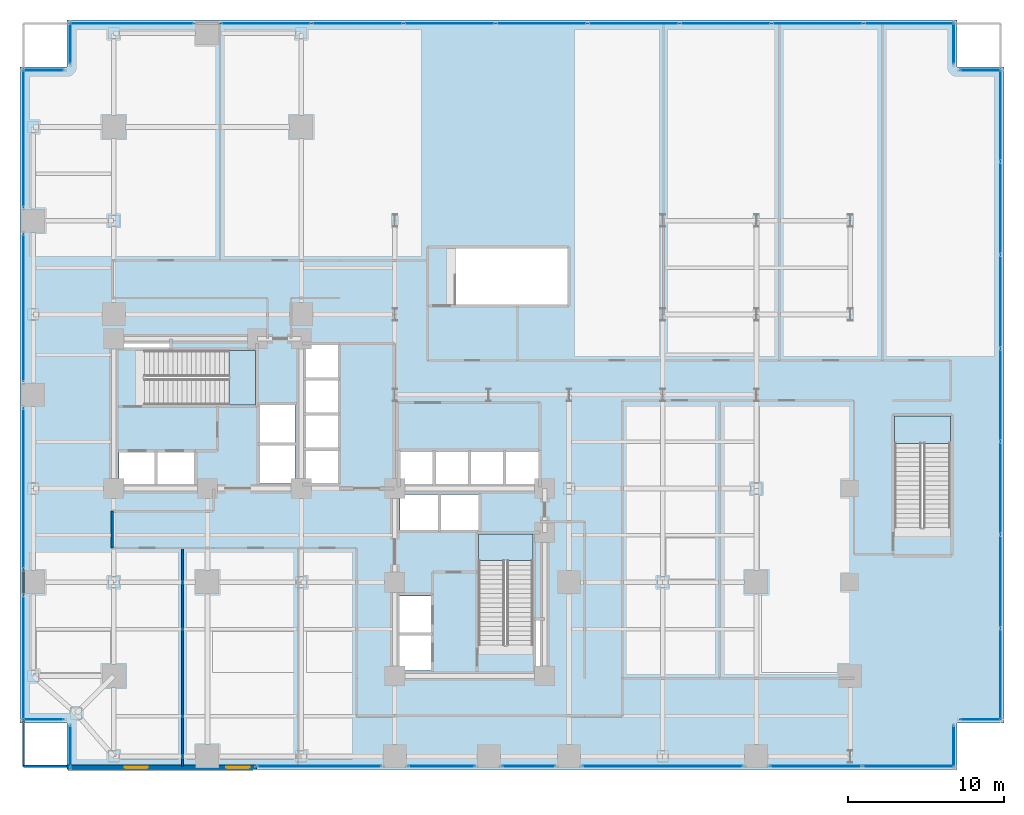
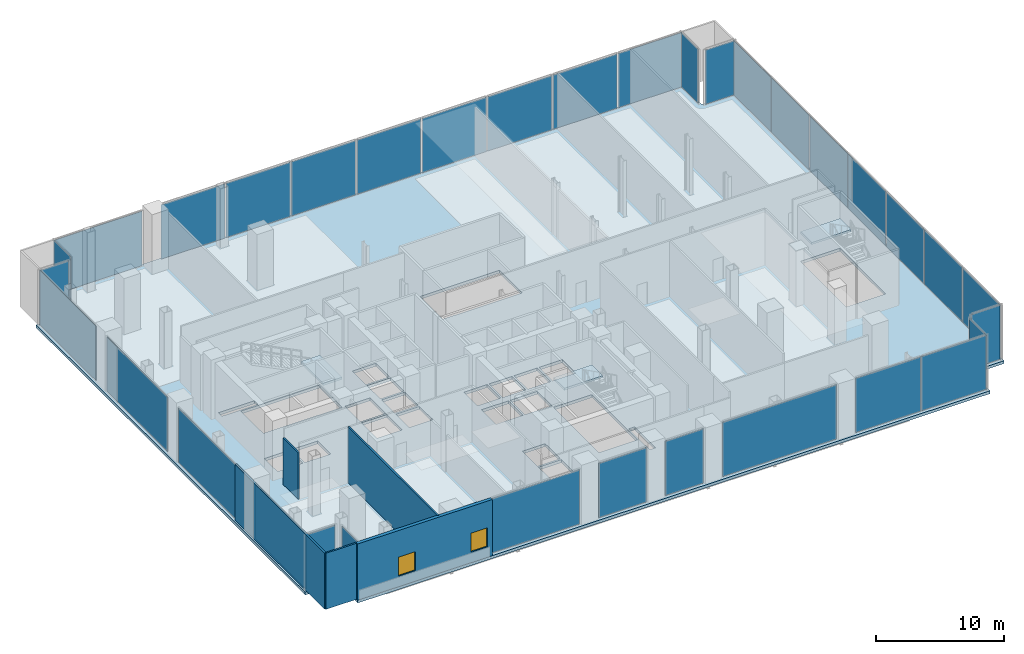
# One storey, part 20 of 27: 34 plates, 5 walls, 4 slabs, 2 windows, 2 openings, 23 elements without a shape of their own.
"""IFC4 building model written with IfcOpenShell, lengths in metres."""

from ifc_helpers import new_model, si_unit, direction, frame, frame_2d, origin, origin_2d, place, context, subcontext, project, spatial, polyline, rectangle, outline, extrude, material, layer, layer_set, type_object, element, fill, aggregate, save


model = new_model("IFC4")

# Units and contexts
model_context = context("Model", 3, precision=1e-05, world=origin(), true_north=direction((0.0, 1.0)))
body_context = subcontext(model_context, "Body", "Model", "MODEL_VIEW")
ifc_project = project(units=[si_unit("LENGTHUNIT", "METRE"), si_unit("AREAUNIT", "SQUARE_METRE"), si_unit("VOLUMEUNIT", "CUBIC_METRE"), si_unit("PLANEANGLEUNIT", "RADIAN"), si_unit("MASSUNIT", "GRAM", prefix="KILO"), si_unit("THERMODYNAMICTEMPERATUREUNIT", "KELVIN"), si_unit("POWERUNIT", "WATT")], contexts=[model_context])

# Site, building, storey
site_placement = place(None, origin())
site = spatial("IfcSite", under=ifc_project, at=site_placement, CompositionType="ELEMENT")
building_placement = place(site_placement, origin())
building = spatial("IfcBuilding", under=site, at=building_placement, Name="Svarakhadi Broadcast Tower", CompositionType="ELEMENT")
storey_placement = place(building_placement, frame((0.0, 0.0, 21.89990234375)))
storey = spatial("IfcBuildingStorey", under=building, at=storey_placement, Name="L04", CompositionType="ELEMENT", Elevation=21.89990234375)

# Curtain wall, plate
ifc_material_1 = material(Name="Anodised Bronze Aluminium AA 6063-T6", Category="aluminium")
ifc_layer_1 = layer(ifc_material_1, 0.25)
ifc_layer_set_1 = layer_set([ifc_layer_1], Name="Anodised Bronze Aluminium AA 6063-T6")
curtain_wall_type = type_object("IfcCurtainWallType", Name="CW_Sys_01", PredefinedType="NOTDEFINED", material=ifc_layer_set_1)
curtain_wall_1_placement = place(storey_placement, origin())
curtain_wall_1 = element("IfcCurtainWall", 1, at=curtain_wall_1_placement, inside=storey, type_object=curtain_wall_type, Name="L04 Unitised Facade Curtain Wall 01", PredefinedType="NOTDEFINED")
ifc_material_2 = material(Name="Double Low-E Laminated Acoustic Glass IGU 36 mm", Category="glass")
ifc_layer_2 = layer(ifc_material_2, 0.0380859375)
ifc_layer_set_2 = layer_set([ifc_layer_2], Name="Double Low-E Laminated Acoustic Glass IGU 36 mm")
plate_type = type_object("IfcPlateType", Name="CW_Sys_01_Pnl", PredefinedType="CURTAIN_PANEL", material=ifc_layer_set_2)
plate_1_placement = place(storey_placement, frame((1.5, 3.219970703125, 0.0849609375), z_axis=(0.0, 0.0, 1.0), x_axis=(-1.0, 0.0, 0.0)))
plate_1 = element("IfcPlate", 2, at=plate_1_placement, type_object=plate_type, Name="CW-01 panel 1.1", PredefinedType="CURTAIN_PANEL", context=body_context, shape_type="SweptSolid", body=[
    extrude(rectangle(XDim=2.6298828125, YDim=0.0380859375, at=origin_2d()), origin(), (0.0, 0.0, 1.0), 5.179931640625),
])
aggregate(curtain_wall_1, [plate_1])

curtain_wall_2_placement = place(storey_placement, origin())
curtain_wall_2 = element("IfcCurtainWall", 3, at=curtain_wall_2_placement, inside=storey, type_object=curtain_wall_type, Name="L04 Unitised Facade Curtain Wall 02 Bay 1", PredefinedType="NOTDEFINED")
plate_2_placement = place(storey_placement, frame((0.219970703125, 7.159912109375, 0.0849609375), z_axis=(0.0, 0.0, 1.0), x_axis=(0.0, 1.0, 0.0)))
plate_2 = element("IfcPlate", 4, at=plate_2_placement, type_object=plate_type, Name="CW-01 panel 1.1", PredefinedType="CURTAIN_PANEL", context=body_context, shape_type="SweptSolid", body=[
    extrude(rectangle(XDim=7.949951171875, YDim=0.0380859375, at=origin_2d()), origin(), (0.0, 0.0, 1.0), 5.179931640625),
])
aggregate(curtain_wall_2, [plate_2])

curtain_wall_3_placement = place(storey_placement, origin())
curtain_wall_3 = element("IfcCurtainWall", 5, at=curtain_wall_3_placement, inside=storey, type_object=curtain_wall_type, Name="L04 Unitised Facade Curtain Wall 02 Bay 2", PredefinedType="NOTDEFINED")
plate_3_placement = place(storey_placement, frame((0.219970703125, 18.0, 0.0849609375), z_axis=(0.0, 0.0, 1.0), x_axis=(0.0, 1.0, 0.0)))
plate_3 = element("IfcPlate", 6, at=plate_3_placement, type_object=plate_type, Name="CW-01 panel 1.1", PredefinedType="CURTAIN_PANEL", context=body_context, shape_type="SweptSolid", body=[
    extrude(rectangle(XDim=10.27001953125, YDim=0.0380859375, at=origin_2d()), origin(), (0.0, 0.0, 1.0), 5.179931640625),
])
aggregate(curtain_wall_3, [plate_3])

curtain_wall_4_placement = place(storey_placement, origin())
curtain_wall_4 = element("IfcCurtainWall", 7, at=curtain_wall_4_placement, inside=storey, type_object=curtain_wall_type, Name="L04 Unitised Facade Curtain Wall 02 Bay 3", PredefinedType="NOTDEFINED")
plate_4_placement = place(storey_placement, frame((0.219970703125, 29.574951171875, 0.0849609375), z_axis=(0.0, 0.0, 1.0), x_axis=(0.0, 1.0, 0.0)))
plate_4 = element("IfcPlate", 8, at=plate_4_placement, type_object=plate_type, Name="CW-01 panel 1.1", PredefinedType="CURTAIN_PANEL", context=body_context, shape_type="SweptSolid", body=[
    extrude(rectangle(XDim=9.419921875, YDim=0.0380859375, at=origin_2d()), origin(), (0.0, 0.0, 1.0), 5.179931640625),
])
aggregate(curtain_wall_4, [plate_4])

curtain_wall_5_placement = place(storey_placement, origin())
curtain_wall_5 = element("IfcCurtainWall", 9, at=curtain_wall_5_placement, inside=storey, type_object=curtain_wall_type, Name="L04 Unitised Facade Curtain Wall 02 Bay 4", PredefinedType="NOTDEFINED")
plate_5_placement = place(storey_placement, frame((0.219970703125, 40.4150390625, 0.0849609375), z_axis=(0.0, 0.0, 1.0), x_axis=(0.0, 1.0, 0.0)))
plate_5 = element("IfcPlate", 10, at=plate_5_placement, type_object=plate_type, Name="CW-01 panel 1.1", PredefinedType="CURTAIN_PANEL", context=body_context, shape_type="SweptSolid", body=[
    extrude(rectangle(XDim=8.800048828125, YDim=0.0380859375, at=origin_2d()), origin(), (0.0, 0.0, 1.0), 5.179931640625),
])
aggregate(curtain_wall_5, [plate_5])

curtain_wall_6_placement = place(storey_placement, origin())
curtain_wall_6 = element("IfcCurtainWall", 11, at=curtain_wall_6_placement, inside=storey, type_object=curtain_wall_type, Name="L04 Unitised Facade Curtain Wall 03", PredefinedType="NOTDEFINED")
plate_6_placement = place(storey_placement, frame((1.5, 44.780029296875, 0.0849609375), z_axis=(0.0, 0.0, 1.0), x_axis=(1.0, 0.0, 0.0)))
plate_6 = element("IfcPlate", 12, at=plate_6_placement, type_object=plate_type, Name="CW-01 panel 1.1", PredefinedType="CURTAIN_PANEL", context=body_context, shape_type="SweptSolid", body=[
    extrude(rectangle(XDim=2.6298828125, YDim=0.0380859375, at=origin_2d()), origin(), (0.0, 0.0, 1.0), 5.179931640625),
])
aggregate(curtain_wall_6, [plate_6])

curtain_wall_7_placement = place(storey_placement, origin())
curtain_wall_7 = element("IfcCurtainWall", 13, at=curtain_wall_7_placement, inside=storey, type_object=curtain_wall_type, Name="L04 Unitised Facade Curtain Wall 04", PredefinedType="NOTDEFINED")
plate_7_placement = place(storey_placement, frame((3.219970703125, 46.5, 0.0849609375), z_axis=(0.0, 0.0, 1.0), x_axis=(0.0, 1.0, 0.0)))
plate_7 = element("IfcPlate", 14, at=plate_7_placement, type_object=plate_type, Name="CW-01 panel 1.1", PredefinedType="CURTAIN_PANEL", context=body_context, shape_type="SweptSolid", body=[
    extrude(rectangle(XDim=2.6298828125, YDim=0.0380859375, at=origin_2d()), origin(), (0.0, 0.0, 1.0), 5.179931640625),
])
aggregate(curtain_wall_7, [plate_7])

curtain_wall_8_placement = place(storey_placement, origin())
curtain_wall_8 = element("IfcCurtainWall", 15, at=curtain_wall_8_placement, inside=storey, type_object=curtain_wall_type, Name="L04 Unitised Facade Curtain Wall 05 Bay 1", PredefinedType="NOTDEFINED")
plate_8_placement = place(storey_placement, frame((7.159912109375, 47.780029296875, 0.0849609375), z_axis=(0.0, 0.0, 1.0), x_axis=(1.0, 0.0, 0.0)))
plate_8 = element("IfcPlate", 16, at=plate_8_placement, type_object=plate_type, Name="CW-01 panel 1.1", PredefinedType="CURTAIN_PANEL", context=body_context, shape_type="SweptSolid", body=[
    extrude(rectangle(XDim=7.949951171875, YDim=0.0380859375, at=origin_2d()), origin(), (0.0, 0.0, 1.0), 5.179931640625),
])
aggregate(curtain_wall_8, [plate_8])

# Curtain wall, plates
curtain_wall_9_placement = place(storey_placement, origin())
curtain_wall_9 = element("IfcCurtainWall", 17, at=curtain_wall_9_placement, inside=storey, type_object=curtain_wall_type, Name="L04 Unitised Facade Curtain Wall 05 Bay 2", PredefinedType="NOTDEFINED")
plate_9_placement = place(storey_placement, frame((15.739990234375, 47.780029296875, 0.0849609375), z_axis=(0.0, 0.0, 1.0), x_axis=(1.0, 0.0, 0.0)))
plate_9 = element("IfcPlate", 18, at=plate_9_placement, type_object=plate_type, Name="CW-01 panel 1.1", PredefinedType="CURTAIN_PANEL", context=body_context, shape_type="SweptSolid", body=[
    extrude(rectangle(XDim=5.75, YDim=0.0380859375, at=origin_2d()), origin(), (0.0, 0.0, 1.0), 5.179931640625),
])
plate_10_placement = place(storey_placement, frame((21.608642578125, 47.780029296875, 0.0849609375), z_axis=(0.0, 0.0, 1.0), x_axis=(1.0, 0.0, 0.0)))
plate_10 = element("IfcPlate", 19, at=plate_10_placement, type_object=plate_type, Name="CW-01 panel 2.1", PredefinedType="CURTAIN_PANEL", context=body_context, shape_type="SweptSolid", body=[
    extrude(rectangle(XDim=5.797607421875, YDim=0.0380859375, at=origin_2d()), origin(), (0.0, 0.0, 1.0), 5.179931640625),
])
plate_11_placement = place(storey_placement, frame((27.501220703125, 47.780029296875, 0.0849609375), z_axis=(0.0, 0.0, 1.0), x_axis=(1.0, 0.0, 0.0)))
plate_11 = element("IfcPlate", 20, at=plate_11_placement, type_object=plate_type, Name="CW-01 panel 3.1", PredefinedType="CURTAIN_PANEL", context=body_context, shape_type="SweptSolid", body=[
    extrude(rectangle(XDim=5.797607421875, YDim=0.0380859375, at=origin_2d()), origin(), (0.0, 0.0, 1.0), 5.179931640625),
])
plate_12_placement = place(storey_placement, frame((33.393798828125, 47.780029296875, 0.0849609375), z_axis=(0.0, 0.0, 1.0), x_axis=(1.0, 0.0, 0.0)))
plate_12 = element("IfcPlate", 21, at=plate_12_placement, type_object=plate_type, Name="CW-01 panel 4.1", PredefinedType="CURTAIN_PANEL", context=body_context, shape_type="SweptSolid", body=[
    extrude(rectangle(XDim=5.797607421875, YDim=0.0380859375, at=origin_2d()), origin(), (0.0, 0.0, 1.0), 5.179931640625),
])
plate_13_placement = place(storey_placement, frame((39.2861328125, 47.780029296875, 0.0849609375), z_axis=(0.0, 0.0, 1.0), x_axis=(1.0, 0.0, 0.0)))
plate_13 = element("IfcPlate", 22, at=plate_13_placement, type_object=plate_type, Name="CW-01 panel 5.1", PredefinedType="CURTAIN_PANEL", context=body_context, shape_type="SweptSolid", body=[
    extrude(rectangle(XDim=5.797607421875, YDim=0.0380859375, at=origin_2d()), origin(), (0.0, 0.0, 1.0), 5.179931640625),
])
plate_14_placement = place(storey_placement, frame((45.1787109375, 47.780029296875, 0.0849609375), z_axis=(0.0, 0.0, 1.0), x_axis=(1.0, 0.0, 0.0)))
plate_14 = element("IfcPlate", 23, at=plate_14_placement, type_object=plate_type, Name="CW-01 panel 6.1", PredefinedType="CURTAIN_PANEL", context=body_context, shape_type="SweptSolid", body=[
    extrude(rectangle(XDim=5.797607421875, YDim=0.0380859375, at=origin_2d()), origin(), (0.0, 0.0, 1.0), 5.179931640625),
])
plate_15_placement = place(storey_placement, frame((51.0712890625, 47.780029296875, 0.0849609375), z_axis=(0.0, 0.0, 1.0), x_axis=(1.0, 0.0, 0.0)))
plate_15 = element("IfcPlate", 24, at=plate_15_placement, type_object=plate_type, Name="CW-01 panel 7.1", PredefinedType="CURTAIN_PANEL", context=body_context, shape_type="SweptSolid", body=[
    extrude(rectangle(XDim=5.797607421875, YDim=0.0380859375, at=origin_2d()), origin(), (0.0, 0.0, 1.0), 5.179931640625),
])
plate_16_placement = place(storey_placement, frame((56.93994140625, 47.780029296875, 0.0849609375), z_axis=(0.0, 0.0, 1.0), x_axis=(1.0, 0.0, 0.0)))
plate_16 = element("IfcPlate", 25, at=plate_16_placement, type_object=plate_type, Name="CW-01 panel 8.1", PredefinedType="CURTAIN_PANEL", context=body_context, shape_type="SweptSolid", body=[
    extrude(rectangle(XDim=5.75, YDim=0.0380859375, at=origin_2d()), origin(), (0.0, 0.0, 1.0), 5.179931640625),
])
aggregate(curtain_wall_9, [plate_9, plate_10, plate_11, plate_12, plate_13, plate_14, plate_15, plate_16])

# Curtain wall, plate
curtain_wall_10_placement = place(storey_placement, origin())
curtain_wall_10 = element("IfcCurtainWall", 26, at=curtain_wall_10_placement, inside=storey, type_object=curtain_wall_type, Name="L04 Unitised Facade Curtain Wall 06", PredefinedType="NOTDEFINED")
plate_17_placement = place(storey_placement, frame((59.780029296875, 46.5, 0.0849609375), z_axis=(0.0, 0.0, 1.0), x_axis=(0.0, -1.0, 0.0)))
plate_17 = element("IfcPlate", 27, at=plate_17_placement, type_object=plate_type, Name="CW-01 panel 1.1", PredefinedType="CURTAIN_PANEL", context=body_context, shape_type="SweptSolid", body=[
    extrude(rectangle(XDim=2.6298828125, YDim=0.0380859375, at=origin_2d()), origin(), (0.0, 0.0, 1.0), 5.179931640625),
])
aggregate(curtain_wall_10, [plate_17])

curtain_wall_11_placement = place(storey_placement, origin())
curtain_wall_11 = element("IfcCurtainWall", 28, at=curtain_wall_11_placement, inside=storey, type_object=curtain_wall_type, Name="L04 Unitised Facade Curtain Wall 07", PredefinedType="NOTDEFINED")
plate_18_placement = place(storey_placement, frame((61.5, 44.780029296875, 0.0849609375), z_axis=(0.0, 0.0, 1.0), x_axis=(1.0, 0.0, 0.0)))
plate_18 = element("IfcPlate", 29, at=plate_18_placement, type_object=plate_type, Name="CW-01 panel 1.1", PredefinedType="CURTAIN_PANEL", context=body_context, shape_type="SweptSolid", body=[
    extrude(rectangle(XDim=2.6298828125, YDim=0.0380859375, at=origin_2d()), origin(), (0.0, 0.0, 1.0), 5.179931640625),
])
aggregate(curtain_wall_11, [plate_18])

# Curtain wall, plates
curtain_wall_12_placement = place(storey_placement, origin())
curtain_wall_12 = element("IfcCurtainWall", 30, at=curtain_wall_12_placement, inside=storey, type_object=curtain_wall_type, Name="L04 Unitised Facade Curtain Wall 08", PredefinedType="NOTDEFINED")
plate_19_placement = place(storey_placement, frame((62.780029296875, 41.899169921875, 0.0849609375), z_axis=(0.0, 0.0, 1.0), x_axis=(0.0, -1.0, 0.0)))
plate_19 = element("IfcPlate", 31, at=plate_19_placement, type_object=plate_type, Name="CW-01 panel 1.1", PredefinedType="CURTAIN_PANEL", context=body_context, shape_type="SweptSolid", body=[
    extrude(rectangle(XDim=5.831787109375, YDim=0.0380859375, at=origin_2d()), origin(), (0.0, 0.0, 1.0), 5.179931640625),
])
plate_20_placement = place(storey_placement, frame((62.780029296875, 35.948486328125, 0.0849609375), z_axis=(0.0, 0.0, 1.0), x_axis=(0.0, -1.0, 0.0)))
plate_20 = element("IfcPlate", 32, at=plate_20_placement, type_object=plate_type, Name="CW-01 panel 2.1", PredefinedType="CURTAIN_PANEL", context=body_context, shape_type="SweptSolid", body=[
    extrude(rectangle(XDim=5.87939453125, YDim=0.0380859375, at=origin_2d()), origin(), (0.0, 0.0, 1.0), 5.179931640625),
])
plate_21_placement = place(storey_placement, frame((62.780029296875, 29.974365234375, 0.0849609375), z_axis=(0.0, 0.0, 1.0), x_axis=(0.0, -1.0, 0.0)))
plate_21 = element("IfcPlate", 33, at=plate_21_placement, type_object=plate_type, Name="CW-01 panel 3.1", PredefinedType="CURTAIN_PANEL", context=body_context, shape_type="SweptSolid", body=[
    extrude(rectangle(XDim=5.87939453125, YDim=0.0380859375, at=origin_2d()), origin(), (0.0, 0.0, 1.0), 5.179931640625),
])
plate_22_placement = place(storey_placement, frame((62.780029296875, 24.0, 0.0849609375), z_axis=(0.0, 0.0, 1.0), x_axis=(0.0, -1.0, 0.0)))
plate_22 = element("IfcPlate", 34, at=plate_22_placement, type_object=plate_type, Name="CW-01 panel 4.1", PredefinedType="CURTAIN_PANEL", context=body_context, shape_type="SweptSolid", body=[
    extrude(rectangle(XDim=5.87939453125, YDim=0.0380859375, at=origin_2d()), origin(), (0.0, 0.0, 1.0), 5.179931640625),
])
plate_23_placement = place(storey_placement, frame((62.780029296875, 18.025634765625, 0.0849609375), z_axis=(0.0, 0.0, 1.0), x_axis=(0.0, -1.0, 0.0)))
plate_23 = element("IfcPlate", 35, at=plate_23_placement, type_object=plate_type, Name="CW-01 panel 5.1", PredefinedType="CURTAIN_PANEL", context=body_context, shape_type="SweptSolid", body=[
    extrude(rectangle(XDim=5.87939453125, YDim=0.0380859375, at=origin_2d()), origin(), (0.0, 0.0, 1.0), 5.179931640625),
])
plate_24_placement = place(storey_placement, frame((62.780029296875, 12.051513671875, 0.0849609375), z_axis=(0.0, 0.0, 1.0), x_axis=(0.0, -1.0, 0.0)))
plate_24 = element("IfcPlate", 36, at=plate_24_placement, type_object=plate_type, Name="CW-01 panel 6.1", PredefinedType="CURTAIN_PANEL", context=body_context, shape_type="SweptSolid", body=[
    extrude(rectangle(XDim=5.87939453125, YDim=0.0380859375, at=origin_2d()), origin(), (0.0, 0.0, 1.0), 5.179931640625),
])
plate_25_placement = place(storey_placement, frame((62.780029296875, 6.100830078125, 0.0849609375), z_axis=(0.0, 0.0, 1.0), x_axis=(0.0, -1.0, 0.0)))
plate_25 = element("IfcPlate", 37, at=plate_25_placement, type_object=plate_type, Name="CW-01 panel 7.1", PredefinedType="CURTAIN_PANEL", context=body_context, shape_type="SweptSolid", body=[
    extrude(rectangle(XDim=5.831787109375, YDim=0.0380859375, at=origin_2d()), origin(), (0.0, 0.0, 1.0), 5.179931640625),
])
aggregate(curtain_wall_12, [plate_19, plate_20, plate_21, plate_22, plate_23, plate_24, plate_25])

# Curtain wall, plate
curtain_wall_13_placement = place(storey_placement, origin())
curtain_wall_13 = element("IfcCurtainWall", 38, at=curtain_wall_13_placement, inside=storey, type_object=curtain_wall_type, Name="L04 Unitised Facade Curtain Wall 09", PredefinedType="NOTDEFINED")
plate_26_placement = place(storey_placement, frame((61.5, 3.219970703125, 0.0849609375), z_axis=(0.0, 0.0, 1.0), x_axis=(-1.0, 0.0, 0.0)))
plate_26 = element("IfcPlate", 39, at=plate_26_placement, type_object=plate_type, Name="CW-01 panel 1.1", PredefinedType="CURTAIN_PANEL", context=body_context, shape_type="SweptSolid", body=[
    extrude(rectangle(XDim=2.6298828125, YDim=0.0380859375, at=origin_2d()), origin(), (0.0, 0.0, 1.0), 5.179931640625),
])
aggregate(curtain_wall_13, [plate_26])

curtain_wall_14_placement = place(storey_placement, origin())
curtain_wall_14 = element("IfcCurtainWall", 40, at=curtain_wall_14_placement, inside=storey, type_object=curtain_wall_type, Name="L04 Unitised Facade Curtain Wall 10", PredefinedType="NOTDEFINED")
plate_27_placement = place(storey_placement, frame((59.780029296875, 1.5, 0.0849609375), z_axis=(0.0, 0.0, 1.0), x_axis=(0.0, -1.0, 0.0)))
plate_27 = element("IfcPlate", 41, at=plate_27_placement, type_object=plate_type, Name="CW-01 panel 1.1", PredefinedType="CURTAIN_PANEL", context=body_context, shape_type="SweptSolid", body=[
    extrude(rectangle(XDim=2.6298828125, YDim=0.0380859375, at=origin_2d()), origin(), (0.0, 0.0, 1.0), 5.179931640625),
])
aggregate(curtain_wall_14, [plate_27])

# Curtain wall, plates
curtain_wall_15_placement = place(storey_placement, origin())
curtain_wall_15 = element("IfcCurtainWall", 42, at=curtain_wall_15_placement, inside=storey, type_object=curtain_wall_type, Name="L04 South Curtain Wall 11 Bay 1", PredefinedType="NOTDEFINED")
plate_28_placement = place(storey_placement, frame((56.888671875, 0.219970703125, 0.0849609375), z_axis=(0.0, 0.0, 1.0), x_axis=(-1.0, 0.0, 0.0)))
plate_28 = element("IfcPlate", 43, at=plate_28_placement, type_object=plate_type, Name="CW-01 panel 1.1", PredefinedType="CURTAIN_PANEL", context=body_context, shape_type="SweptSolid", body=[
    extrude(rectangle(XDim=5.8525390625, YDim=0.0380859375, at=origin_2d()), origin(), (0.0, 0.0, 1.0), 5.179931640625),
])
plate_29_placement = place(storey_placement, frame((50.941162109375, 0.219970703125, 0.0849609375), z_axis=(0.0, 0.0, 1.0), x_axis=(-1.0, 0.0, 0.0)))
plate_29 = element("IfcPlate", 44, at=plate_29_placement, type_object=plate_type, Name="CW-01 panel 2.1", PredefinedType="CURTAIN_PANEL", context=body_context, shape_type="SweptSolid", body=[
    extrude(rectangle(XDim=5.8525390625, YDim=0.0380859375, at=origin_2d()), origin(), (0.0, 0.0, 1.0), 5.179931640625),
])
aggregate(curtain_wall_15, [plate_28, plate_29])

# Curtain wall, plate
curtain_wall_16_placement = place(storey_placement, origin())
curtain_wall_16 = element("IfcCurtainWall", 45, at=curtain_wall_16_placement, inside=storey, type_object=curtain_wall_type, Name="L04 South Curtain Wall 11 Bay 2", PredefinedType="NOTDEFINED")
plate_30_placement = place(storey_placement, frame((41.14990234375, 0.219970703125, 0.0849609375), z_axis=(0.0, 0.0, 1.0), x_axis=(-1.0, 0.0, 0.0)))
plate_30 = element("IfcPlate", 46, at=plate_30_placement, type_object=plate_type, Name="CW-01 panel 1.1", PredefinedType="CURTAIN_PANEL", context=body_context, shape_type="SweptSolid", body=[
    extrude(rectangle(XDim=10.27001953125, YDim=0.0380859375, at=origin_2d()), origin(), (0.0, 0.0, 1.0), 5.179931640625),
])
aggregate(curtain_wall_16, [plate_30])

curtain_wall_17_placement = place(storey_placement, origin())
curtain_wall_17 = element("IfcCurtainWall", 47, at=curtain_wall_17_placement, inside=storey, type_object=curtain_wall_type, Name="L04 South Curtain Wall 11 Bay 3", PredefinedType="NOTDEFINED")
plate_31_placement = place(storey_placement, frame((32.574951171875, 0.219970703125, 0.0849609375), z_axis=(0.0, 0.0, 1.0), x_axis=(-1.0, 0.0, 0.0)))
plate_31 = element("IfcPlate", 48, at=plate_31_placement, type_object=plate_type, Name="CW-01 panel 1.1", PredefinedType="CURTAIN_PANEL", context=body_context, shape_type="SweptSolid", body=[
    extrude(rectangle(XDim=3.419921875, YDim=0.0380859375, at=origin_2d()), origin(), (0.0, 0.0, 1.0), 5.179931640625),
])
aggregate(curtain_wall_17, [plate_31])

curtain_wall_18_placement = place(storey_placement, origin())
curtain_wall_18 = element("IfcCurtainWall", 49, at=curtain_wall_18_placement, inside=storey, type_object=curtain_wall_type, Name="L04 South Curtain Wall 11 Bay 4", PredefinedType="NOTDEFINED")
plate_32_placement = place(storey_placement, frame((27.0, 0.219970703125, 0.0849609375), z_axis=(0.0, 0.0, 1.0), x_axis=(-1.0, 0.0, 0.0)))
plate_32 = element("IfcPlate", 50, at=plate_32_placement, type_object=plate_type, Name="CW-01 panel 1.1", PredefinedType="CURTAIN_PANEL", context=body_context, shape_type="SweptSolid", body=[
    extrude(rectangle(XDim=4.27001953125, YDim=0.0380859375, at=origin_2d()), origin(), (0.0, 0.0, 1.0), 5.179931640625),
])
aggregate(curtain_wall_18, [plate_32])

curtain_wall_19_placement = place(storey_placement, origin())
curtain_wall_19 = element("IfcCurtainWall", 51, at=curtain_wall_19_placement, inside=storey, type_object=curtain_wall_type, Name="L04 South Curtain Wall 11 Bay 5", PredefinedType="NOTDEFINED")
plate_33_placement = place(storey_placement, frame((19.159912109375, 0.219970703125, 0.0849609375), z_axis=(0.0, 0.0, 1.0), x_axis=(-1.0, 0.0, 0.0)))
plate_33 = element("IfcPlate", 52, at=plate_33_placement, type_object=plate_type, Name="CW-01 panel 1.1", PredefinedType="CURTAIN_PANEL", context=body_context, shape_type="SweptSolid", body=[
    extrude(rectangle(XDim=7.949951171875, YDim=0.0380859375, at=origin_2d()), origin(), (0.0, 0.0, 1.0), 5.179931640625),
])
aggregate(curtain_wall_19, [plate_33])

curtain_wall_20_placement = place(storey_placement, origin())
curtain_wall_20 = element("IfcCurtainWall", 53, at=curtain_wall_20_placement, inside=storey, type_object=curtain_wall_type, Name="L04 Unitised Facade Curtain Wall 12", PredefinedType="NOTDEFINED")
plate_34_placement = place(storey_placement, frame((3.219970703125, 1.5, 0.0849609375), z_axis=(0.0, 0.0, 1.0), x_axis=(0.0, 1.0, 0.0)))
plate_34 = element("IfcPlate", 54, at=plate_34_placement, type_object=plate_type, Name="CW-01 panel 1.1", PredefinedType="CURTAIN_PANEL", context=body_context, shape_type="SweptSolid", body=[
    extrude(rectangle(XDim=2.6298828125, YDim=0.0380859375, at=origin_2d()), origin(), (0.0, 0.0, 1.0), 5.179931640625),
])
aggregate(curtain_wall_20, [plate_34])

# Slab
ifc_material_3 = material(Name="Concrete C40/50 (IS 456 M50)", Category="concrete")
ifc_layer_3 = layer(ifc_material_3, 0.27490234375)
ifc_layer_set_3 = layer_set([ifc_layer_3], Name="Concrete C40/50 (IS 456 M50)")
slab_type_1 = type_object("IfcSlabType", Name="Slab_Floor_275", PredefinedType="FLOOR", material=ifc_layer_set_3)
slab_1_placement = place(storey_placement, frame((0.0, 0.0, -0.27490234375)))
element("IfcSlab", 55, at=slab_1_placement, inside=storey, type_object=slab_type_1, Name="L04 Structural Floor Slab", PredefinedType="FLOOR", context=body_context, shape_type="SweptSolid", body=[
    extrude(outline(polyline([(3.0, 0.0), (60.0, 0.0), (60.0, 3.0), (63.0, 3.0), (63.0, 45.0), (60.0, 45.0), (60.0, 48.0), (3.0, 48.0), (3.0, 45.0), (0.0, 45.0), (0.0, 3.0), (3.0, 3.0), (3.0, 0.0)]), holes=[polyline([(7.97998046875, 23.360107421875), (15.080078125, 23.360107421875), (15.080078125, 26.840087890625), (7.97998046875, 26.840087890625), (7.97998046875, 23.360107421875)]), polyline([(32.840087890625, 7.97998046875), (32.840087890625, 15.080078125), (29.360107421875, 15.080078125), (29.360107421875, 7.97998046875), (32.840087890625, 7.97998046875)]), polyline([(27.89990234375, 29.800048828125), (35.050048828125, 29.800048828125), (35.050048828125, 33.360107421875), (27.89990234375, 33.360107421875), (27.89990234375, 29.800048828125)]), polyline([(59.56005859375, 15.5), (59.56005859375, 22.64990234375), (56.0, 22.64990234375), (56.0, 15.5), (59.56005859375, 15.5)]), polyline([(6.340087890625, 18.2900390625), (8.610107421875, 18.2900390625), (8.610107421875, 20.330078125), (6.340087890625, 20.330078125), (6.340087890625, 18.2900390625)]), polyline([(8.7900390625, 18.2900390625), (11.1298828125, 18.2900390625), (11.1298828125, 20.330078125), (8.7900390625, 20.330078125), (8.7900390625, 18.2900390625)]), polyline([(24.2900390625, 6.340087890625), (26.330078125, 6.340087890625), (26.330078125, 8.610107421875), (24.2900390625, 8.610107421875), (24.2900390625, 6.340087890625)]), polyline([(24.2900390625, 8.7900390625), (26.330078125, 8.7900390625), (26.330078125, 11.1298828125), (24.2900390625, 11.1298828125), (24.2900390625, 8.7900390625)]), polyline([(6.340087890625, 26.989990234375), (9.610107421875, 26.989990234375), (9.610107421875, 27.530029296875), (6.340087890625, 27.530029296875), (6.340087890625, 26.989990234375)]), polyline([(32.989990234375, 6.340087890625), (33.530029296875, 6.340087890625), (33.530029296875, 9.610107421875), (32.989990234375, 9.610107421875), (32.989990234375, 6.340087890625)]), polyline([(15.340087890625, 18.340087890625), (17.610107421875, 18.340087890625), (17.610107421875, 20.760009765625), (15.340087890625, 20.760009765625), (15.340087890625, 18.340087890625)]), polyline([(15.340087890625, 20.93994140625), (17.610107421875, 20.93994140625), (17.610107421875, 23.360107421875), (15.340087890625, 23.360107421875), (15.340087890625, 20.93994140625)]), polyline([(24.340087890625, 15.340087890625), (26.760009765625, 15.340087890625), (26.760009765625, 17.610107421875), (24.340087890625, 17.610107421875), (24.340087890625, 15.340087890625)]), polyline([(26.93994140625, 15.340087890625), (29.360107421875, 15.340087890625), (29.360107421875, 17.610107421875), (26.93994140625, 17.610107421875), (26.93994140625, 15.340087890625)]), polyline([(18.239990234375, 18.340087890625), (20.360107421875, 18.340087890625), (20.360107421875, 20.429931640625), (18.239990234375, 20.429931640625), (18.239990234375, 18.340087890625)]), polyline([(18.239990234375, 20.610107421875), (20.360107421875, 20.610107421875), (20.360107421875, 22.679931640625), (18.239990234375, 22.679931640625), (18.239990234375, 20.610107421875)]), polyline([(18.239990234375, 22.860107421875), (20.360107421875, 22.860107421875), (20.360107421875, 24.929931640625), (18.239990234375, 24.929931640625), (18.239990234375, 22.860107421875)]), polyline([(18.239990234375, 25.110107421875), (20.360107421875, 25.110107421875), (20.360107421875, 27.2099609375), (18.239990234375, 27.2099609375), (18.239990234375, 25.110107421875)]), polyline([(24.340087890625, 18.239990234375), (26.429931640625, 18.239990234375), (26.429931640625, 20.360107421875), (24.340087890625, 20.360107421875), (24.340087890625, 18.239990234375)]), polyline([(26.610107421875, 18.239990234375), (28.679931640625, 18.239990234375), (28.679931640625, 20.360107421875), (26.610107421875, 20.360107421875), (26.610107421875, 18.239990234375)]), polyline([(28.860107421875, 18.239990234375), (30.929931640625, 18.239990234375), (30.929931640625, 20.360107421875), (28.860107421875, 20.360107421875), (28.860107421875, 18.239990234375)]), polyline([(31.110107421875, 18.239990234375), (33.2099609375, 18.239990234375), (33.2099609375, 20.360107421875), (31.110107421875, 20.360107421875), (31.110107421875, 18.239990234375)])]), origin(), (0.0, 0.0, 1.0), 0.27490234375),
])

# Stair, slab
stair_type_1 = type_object("IfcStairType", Name="Stair_Exit_Core", PredefinedType="HALF_TURN_STAIR", material=ifc_material_3)
stair_1_placement = place(storey_placement, origin())
stair_1 = element("IfcStair", 56, at=stair_1_placement, inside=storey, type_object=stair_type_1, Name="L04 West Core Protected Exit Stair ST-01", PredefinedType="HALF_TURN_STAIR")
ifc_layer_4 = layer(ifc_material_3, 0.199951171875)
ifc_layer_set_4 = layer_set([ifc_layer_4], Name="Concrete C40/50 (IS 456 M50)")
slab_type_2 = type_object("IfcSlabType", Name="Slab_Stair_Land", PredefinedType="LANDING", material=ifc_layer_set_4)
slab_2_placement = place(storey_placement, frame((0.0, 0.0, 2.650146484375)))
slab_2 = element("IfcSlab", 57, at=slab_2_placement, type_object=slab_type_2, Name="ST-01 landing 1", PredefinedType="LANDING", context=body_context, shape_type="SweptSolid", body=[
    extrude(outline(polyline([(13.3798828125, 23.360107421875), (15.080078125, 23.360107421875), (15.080078125, 26.840087890625), (13.3798828125, 26.840087890625), (13.3798828125, 23.360107421875)])), origin(), (0.0, 0.0, 1.0), 0.199951171875),
])
aggregate(stair_1, [slab_2])

stair_2_placement = place(storey_placement, origin())
stair_2 = element("IfcStair", 58, at=stair_2_placement, inside=storey, type_object=stair_type_1, Name="L04 East Core Protected Exit Stair ST-02", PredefinedType="HALF_TURN_STAIR")
slab_3_placement = place(storey_placement, frame((0.0, 0.0, 2.650146484375)))
slab_3 = element("IfcSlab", 59, at=slab_3_placement, type_object=slab_type_2, Name="ST-02 landing 1", PredefinedType="LANDING", context=body_context, shape_type="SweptSolid", body=[
    extrude(outline(polyline([(32.840087890625, 13.3798828125), (32.840087890625, 15.080078125), (29.360107421875, 15.080078125), (29.360107421875, 13.3798828125), (32.840087890625, 13.3798828125)])), origin(), (0.0, 0.0, 1.0), 0.199951171875),
])
aggregate(stair_2, [slab_3])

stair_type_2 = type_object("IfcStairType", Name="Stair_Exit_Pod", PredefinedType="HALF_TURN_STAIR", material=ifc_material_3)
stair_3_placement = place(storey_placement, origin())
stair_3 = element("IfcStair", 60, at=stair_3_placement, inside=storey, type_object=stair_type_2, Name="L04 Podium East Broadcast Exit Stair ST-04", PredefinedType="HALF_TURN_STAIR")
slab_4_placement = place(storey_placement, frame((0.0, 0.0, 2.650146484375)))
slab_4 = element("IfcSlab", 61, at=slab_4_placement, type_object=slab_type_2, Name="ST-04 landing 1", PredefinedType="LANDING", context=body_context, shape_type="SweptSolid", body=[
    extrude(outline(polyline([(59.56005859375, 20.89990234375), (59.56005859375, 22.64990234375), (56.0, 22.64990234375), (56.0, 20.89990234375), (59.56005859375, 20.89990234375)])), origin(), (0.0, 0.0, 1.0), 0.199951171875),
])
aggregate(stair_3, [slab_4])

# Wall, openings, windows
ifc_layer_5 = layer(ifc_material_3, 0.300048828125)
ifc_layer_set_5 = layer_set([ifc_layer_5], Name="Concrete C40/50 (IS 456 M50)")
wall_type_1 = type_object("IfcWallType", Name="Wall_Ext_300", PredefinedType="SOLIDWALL", material=ifc_layer_set_5)
wall_1_placement = place(storey_placement, frame((15.14501953125, 0.14990234375, 0.0), z_axis=(0.0, 0.0, 1.0), x_axis=(-1.0, 0.0, 0.0)))
wall_1 = element("IfcWall", 62, at=wall_1_placement, inside=storey, type_object=wall_type_1, Name="L04 Broadcast Studio Acoustic Exterior Wall", PredefinedType="SOLIDWALL", context=body_context, shape_type="SweptSolid", body=[
    extrude(rectangle(XDim=12.14501953125, YDim=0.300048828125, at=frame_2d((6.072509765625, 0.0))), origin(), (0.0, 0.0, 1.0), 5.35009765625),
])
opening_1_placement = place(wall_1_placement, frame((0.449951171875, 0.0, 1.0)))
opening_1 = element("IfcOpeningElement", 63, at=opening_1_placement, cuts=wall_1, Name="Opening WN-03", PredefinedType="OPENING", context=body_context, shape_type="SweptSolid", body=[
    extrude(rectangle(XDim=1.5, YDim=1.800048828125, at=frame_2d((0.75, 0.89990234375))), frame((0.0, 0.159912109375, 0.0), z_axis=(0.0, -1.0, 0.0), x_axis=(1.0, 0.0, 0.0)), (0.0, 0.0, 1.0), 0.320068359375),
])
opening_2_placement = place(wall_1_placement, frame((6.949951171875, 0.0, 1.0)))
opening_2 = element("IfcOpeningElement", 64, at=opening_2_placement, cuts=wall_1, Name="Opening WN-03", PredefinedType="OPENING", context=body_context, shape_type="SweptSolid", body=[
    extrude(rectangle(XDim=1.5, YDim=1.800048828125, at=frame_2d((0.75, 0.89990234375))), frame((0.0, 0.159912109375, 0.0), z_axis=(0.0, -1.0, 0.0), x_axis=(1.0, 0.0, 0.0)), (0.0, 0.0, 1.0), 0.320068359375),
])
window_type = type_object("IfcWindowType", Name="Win_Awning_WN03", PartitioningType="SINGLE_PANEL", PredefinedType="WINDOW", material=ifc_material_2)
window_1_placement = place(opening_1_placement, origin())
window_1 = element("IfcWindow", 65, at=window_1_placement, inside=storey, type_object=window_type, Name="L04 Broadcast Podium Acoustic Window 1", OverallHeight=1.800048828125, OverallWidth=1.5, PartitioningType="SINGLE_PANEL", PredefinedType="WINDOW", context=body_context, shape_type="SweptSolid", body=[
    extrude(rectangle(XDim=1.5, YDim=1.800048828125, at=frame_2d((0.75, 0.89990234375))), frame((0.0, 0.030029296875, 0.0), z_axis=(0.0, -1.0, 0.0), x_axis=(1.0, 0.0, 0.0)), (0.0, 0.0, 1.0), 0.06005859375),
])
fill(opening_1, window_1)
window_2_placement = place(opening_2_placement, origin())
window_2 = element("IfcWindow", 66, at=window_2_placement, inside=storey, type_object=window_type, Name="L04 Broadcast Podium Acoustic Window 2", OverallHeight=1.800048828125, OverallWidth=1.5, PartitioningType="SINGLE_PANEL", PredefinedType="WINDOW", context=body_context, shape_type="SweptSolid", body=[
    extrude(rectangle(XDim=1.5, YDim=1.800048828125, at=frame_2d((0.75, 0.89990234375))), frame((0.0, 0.030029296875, 0.0), z_axis=(0.0, -1.0, 0.0), x_axis=(1.0, 0.0, 0.0)), (0.0, 0.0, 1.0), 0.06005859375),
])
fill(opening_2, window_2)

# Walls
ifc_material_4 = material(Name="Autoclaved Aerated Concrete Blockwork 150 mm", Category="masonry")
ifc_layer_6 = layer(ifc_material_4, 0.14990234375)
ifc_layer_set_6 = layer_set([ifc_layer_6], Name="Autoclaved Aerated Concrete Blockwork 150 mm")
wall_type_2 = type_object("IfcWallType", Name="Wall_Part_150", PredefinedType="PARTITIONING", material=ifc_layer_set_6)
wall_2_placement = place(storey_placement, frame((5.89990234375, 14.199951171875, 0.0), z_axis=(0.0, 0.0, 1.0), x_axis=(0.0, 1.0, 0.0)))
element("IfcWall", 67, at=wall_2_placement, inside=storey, type_object=wall_type_2, Name="L04 Podium Gallery Wall", PredefinedType="PARTITIONING", context=body_context, shape_type="SweptSolid", body=[
    extrude(rectangle(XDim=2.35009765625, YDim=0.14990234375, at=frame_2d((1.175048828125, 0.0))), origin(), (0.0, 0.0, 1.0), 4.442138671875),
])
wall_3_placement = place(storey_placement, frame((0.219970703125, 0.219970703125, 0.0), z_axis=(0.0, 0.0, 1.0), x_axis=(1.0, 0.0, 0.0)))
element("IfcWall", 68, at=wall_3_placement, inside=storey, type_object=wall_type_2, Name="L04 L04 Master Control Broadcast Room Wall", PredefinedType="PARTITIONING", context=body_context, shape_type="SweptSolid", body=[
    extrude(rectangle(XDim=2.780029296875, YDim=0.14990234375, at=frame_2d((1.39013671875, 0.0))), origin(), (0.0, 0.0, 1.0), 5.35009765625),
])
for number, where, z_axis, x_axis, name in (
    (69, (0.219970703125, 0.219970703125, 0.0), (0.0, 0.0, 1.0), (0.0, 1.0, 0.0), "L04 L04 Master Control Broadcast Room Wall"),
    (70, (10.39990234375, 0.219970703125, 0.0), (0.0, 0.0, 1.0), (0.0, 1.0, 0.0), "L04 L04 Master Control Broadcast Room Wall"),
):
    element("IfcWall", number, at=place(storey_placement, frame(where, z_axis=z_axis, x_axis=x_axis)), inside=storey, type_object=wall_type_2, Name=name, PredefinedType="PARTITIONING", context=body_context, shape_type="SweptSolid", body=[
        extrude(rectangle(XDim=13.97998046875, YDim=0.14990234375, at=frame_2d((6.989990234375, 0.0))), origin(), (0.0, 0.0, 1.0), 5.35009765625),
    ])

save(model, "model.ifc")
